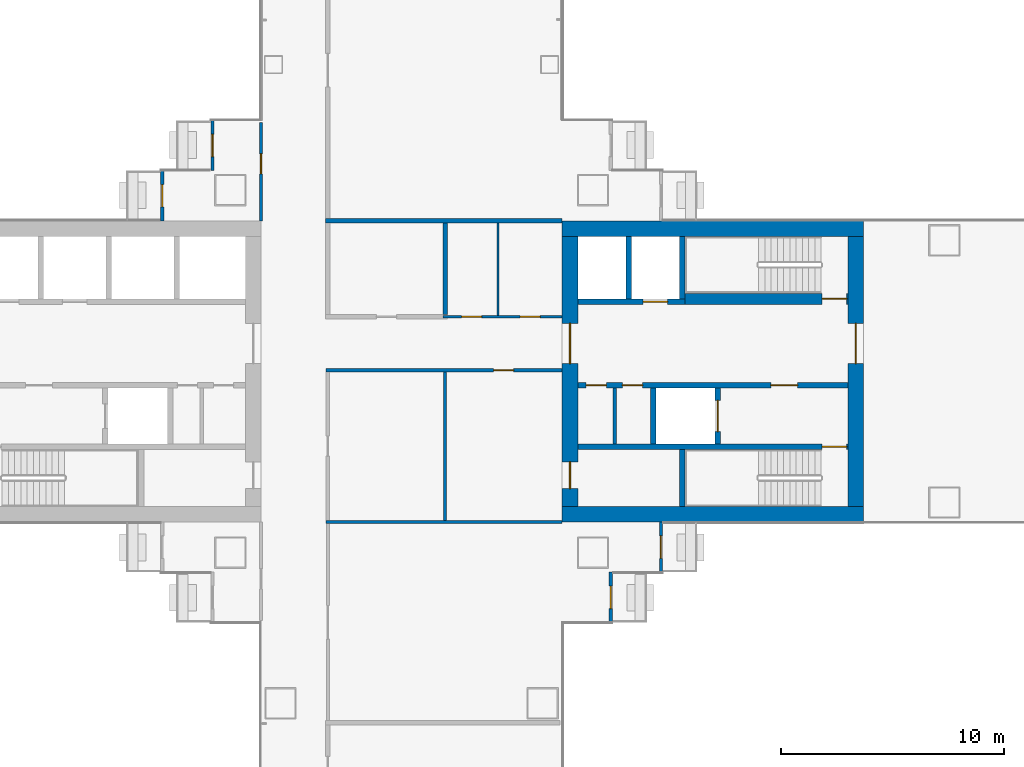
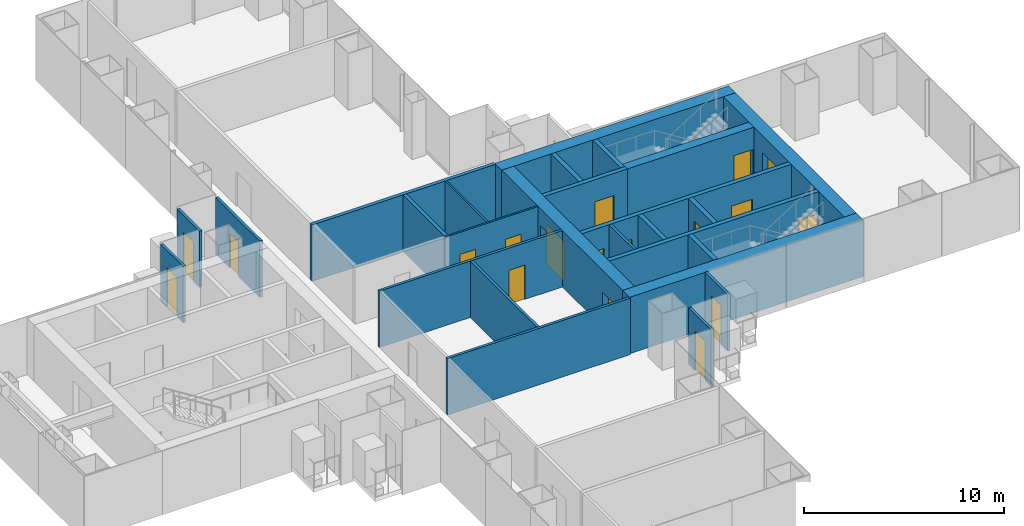
# One storey, part 17 of 22: 26 walls, 18 doors, 18 openings.
"""IFC4 building model written with IfcOpenShell, lengths in metres."""

import ifcopenshell
import ifcopenshell.guid

model = None  # the IFC model being written
_history = None  # IfcOwnerHistory: only IFC2X3 demands one
_inside = {}  # id of a spatial element -> (the spatial element, [elements in it])
_under = {}  # id of a project, library or spatial element -> (it, [spatial elements below it])
_declared = {}  # id of a project -> (the project, [libraries it declares])
_typed = {}  # id of a type object -> (the type object, [elements of that type])
_made_of = {}  # id of a material, layer set ... -> (it, [elements and type objects made of it])


def new_model(schema):
    """Start an empty IFC model of exactly this schema.

    Asked for "IFC4X3", IfcOpenShell would pick the latest addendum, in which some entities
    have other attributes; the version numbers below select the first issue.
    IFC2X3 requires an IfcOwnerHistory on every rooted entity: one is made here for all.
    """
    global model, _history
    if schema == "IFC4X3":
        model = ifcopenshell.file(schema_version=(4, 3, 0, 0))
    else:
        model = ifcopenshell.file(schema=schema)
    _inside.clear()
    _under.clear()
    _declared.clear()
    _typed.clear()
    _made_of.clear()
    _history = None
    if model.schema == "IFC2X3":
        org = make("IfcOrganization", Name="unknown")
        user = make(
            "IfcPersonAndOrganization",
            ThePerson=make("IfcPerson", FamilyName="unknown"),
            TheOrganization=org,
        )
        app = make(
            "IfcApplication",
            ApplicationDeveloper=org,
            Version="unknown",
            ApplicationFullName="unknown",
            ApplicationIdentifier="unknown",
        )
        _history = make(
            "IfcOwnerHistory",
            OwningUser=user,
            OwningApplication=app,
            ChangeAction="ADDED",
            CreationDate=0,
        )
    return model


def make(cls, **values):
    """One entity of the class cls with the attributes given. An attribute that is None is left unset."""
    return model.create_entity(
        cls, **{name: value for name, value in values.items() if value is not None}
    )


def rooted(cls, **values):
    """An entity with a GlobalId (a new one), such as an element, a storey or a relation."""
    return make(cls, GlobalId=ifcopenshell.guid.new(), OwnerHistory=_history, **values)


def si_unit(unit_type, name, prefix=None):
    """IfcSIUnit, for example si_unit("LENGTHUNIT", "METRE", prefix="MILLI")."""
    return make("IfcSIUnit", UnitType=unit_type, Prefix=prefix, Name=name)


def assignment(units):
    """IfcUnitAssignment: the units of a project."""
    return None if units is None else make("IfcUnitAssignment", Units=units)


def point(xyz):
    """IfcCartesianPoint."""
    return None if xyz is None else make("IfcCartesianPoint", Coordinates=xyz)


def direction(xyz):
    """IfcDirection."""
    return None if xyz is None else make("IfcDirection", DirectionRatios=xyz)


def frame(location, z_axis=None, x_axis=None):
    """IfcAxis2Placement3D, a coordinate frame: its origin and axes. An axis left out is left unset."""
    return make(
        "IfcAxis2Placement3D",
        Location=point(location),
        Axis=direction(z_axis),
        RefDirection=direction(x_axis),
    )


def frame_2d(location, x_axis=None):
    """IfcAxis2Placement2D, a coordinate frame in the plane: its origin and x axis."""
    return make(
        "IfcAxis2Placement2D", Location=point(location), RefDirection=direction(x_axis)
    )


def origin():
    """The frame at (0, 0, 0) with its axes left unset."""
    return frame((0.0, 0.0, 0.0))


def place(relative_to, where):
    """IfcLocalPlacement: puts the frame where relative to a parent placement (None: the world)."""
    return make(
        "IfcLocalPlacement", PlacementRelTo=relative_to, RelativePlacement=where
    )


def context(
    kind, dimensions, precision=None, world=None, true_north=None, identifier=None
):
    """IfcGeometricRepresentationContext, for example the 3D "Model" context."""
    return make(
        "IfcGeometricRepresentationContext",
        ContextIdentifier=identifier,
        ContextType=kind,
        CoordinateSpaceDimension=dimensions,
        Precision=precision,
        WorldCoordinateSystem=world,
        TrueNorth=true_north,
    )


def subcontext(parent, identifier, kind, view, scale=None):
    """IfcGeometricRepresentationSubContext, for example "Body" below "Model"."""
    return make(
        "IfcGeometricRepresentationSubContext",
        ContextIdentifier=identifier,
        ContextType=kind,
        ParentContext=parent,
        TargetScale=scale,
        TargetView=view,
    )


def project(units=None, contexts=None):
    """IfcProject with its units and contexts."""
    return rooted(
        "IfcProject",
        Name="project",
        RepresentationContexts=contexts,
        UnitsInContext=assignment(units),
    )


def spatial(cls, under=None, at=None, **own):
    """A site, building, storey or space (cls), placed at a placement, below another one or the project."""
    s = rooted(cls, ObjectPlacement=at, **own)
    if under is not None:
        _under.setdefault(under.id(), (under, []))[1].append(s)
    return s


def profile(cls, at=None, kind="AREA", **sizes):
    """A parametric profile (cls). Its sizes go by their IFC names, for example OverallWidth=200.0."""
    return make(cls, ProfileType=kind, Position=at, **sizes)


def rectangle(**sizes):
    """IfcRectangleProfileDef."""
    return profile("IfcRectangleProfileDef", **sizes)


def extrude(swept, where, along, depth):
    """IfcExtrudedAreaSolid: the profile swept, set in the frame where, extruded along a direction by depth."""
    return make(
        "IfcExtrudedAreaSolid",
        SweptArea=swept,
        Position=where,
        ExtrudedDirection=direction(along),
        Depth=depth,
    )


def shape(context_of_items, identifier, shape_type, items):
    """IfcShapeRepresentation: the items that make up one representation, for example the "Body"."""
    return make(
        "IfcShapeRepresentation",
        ContextOfItems=context_of_items,
        RepresentationIdentifier=identifier,
        RepresentationType=shape_type,
        Items=items,
    )


def material(Name=None, Category=None):
    """IfcMaterial."""
    return make("IfcMaterial", Name=Name, Category=Category)


def layer(
    of_material, thickness, ventilated=None, Name=None, Category=None, Priority=None
):
    """IfcMaterialLayer: one layer of a wall or slab, of a material (None: an air gap)."""
    return make(
        "IfcMaterialLayer",
        Material=of_material,
        LayerThickness=thickness,
        IsVentilated=ventilated,
        Name=Name,
        Category=Category,
        Priority=Priority,
    )


def layer_set(layers, Name=None):
    """IfcMaterialLayerSet."""
    return make("IfcMaterialLayerSet", MaterialLayers=layers, LayerSetName=Name)


def made_of(thing, what):
    """Note that an element or type object is made of a material, layer set ...; save() writes the relation."""
    if what is not None:
        _made_of.setdefault(what.id(), (what, []))[1].append(thing)
    return thing


def type_object(cls, material=None, **own):
    """A type object (cls), such as IfcWallType, which elements share."""
    return made_of(rooted(cls, **own), material)


def element(
    cls,
    number,
    at=None,
    inside=None,
    cuts=None,
    type_object=None,
    material=None,
    context=None,
    identifier="Body",
    shape_type=None,
    held_by="IfcProductDefinitionShape",
    body=None,
    shapes=None,
    **own,
):
    """One element of the class cls, such as IfcWall. Its Tag is "e" and its number.

    at: its placement. inside: the storey or other place that contains it. cuts: it is an
    opening in that element (IfcRelVoidsElement). A single representation is given by context,
    identifier, shape_type and body (its items); several are given by shapes. held_by: the class
    of the entity that holds the representations. save() writes the other relations.
    """
    e = rooted(cls, Tag="e%d" % number, ObjectPlacement=at, **own)
    if body is not None:
        shapes = [shape(context, identifier, shape_type, body)]
    if shapes is not None:
        e.Representation = make(held_by, Representations=shapes)
    if inside is not None:
        _inside.setdefault(inside.id(), (inside, []))[1].append(e)
    if cuts is not None:
        rooted(
            "IfcRelVoidsElement", RelatingBuildingElement=cuts, RelatedOpeningElement=e
        )
    if type_object is not None:
        _typed.setdefault(type_object.id(), (type_object, []))[1].append(e)
    return made_of(e, material)


def fill(opening, filler):
    """IfcRelFillsElement: the door or window that sits in an opening."""
    return rooted(
        "IfcRelFillsElement",
        RelatingOpeningElement=opening,
        RelatedBuildingElement=filler,
    )


def aggregate(whole, parts):
    """IfcRelAggregates: a whole, such as a stair, and the parts it consists of."""
    return rooted("IfcRelAggregates", RelatingObject=whole, RelatedObjects=parts)


def save(model, path):
    """Write the relations noted so far, then the file.

    IfcRelAggregates (storeys below a building ...), IfcRelContainedInSpatialStructure (elements
    in a storey), IfcRelDefinesByType, IfcRelAssociatesMaterial and IfcRelDeclares: one each for
    every whole, place, type object, material and project.
    """
    for whole, parts in _under.values():
        aggregate(whole, parts)
    for where, things in _inside.values():
        rooted(
            "IfcRelContainedInSpatialStructure",
            RelatedElements=things,
            RelatingStructure=where,
        )
    for kind, things in _typed.values():
        rooted("IfcRelDefinesByType", RelatedObjects=things, RelatingType=kind)
    for what, things in _made_of.values():
        rooted("IfcRelAssociatesMaterial", RelatedObjects=things, RelatingMaterial=what)
    for by, libraries in _declared.values():
        rooted("IfcRelDeclares", RelatingContext=by, RelatedDefinitions=libraries)
    model.write(path)


model = new_model("IFC4")

# Units and contexts
model_context = context("Model", 3, precision=1e-05, world=origin(), true_north=direction((0.0, 1.0)))
body_context = subcontext(model_context, "Body", "Model", "MODEL_VIEW")
ifc_project = project(units=[si_unit("LENGTHUNIT", "METRE"), si_unit("AREAUNIT", "SQUARE_METRE"), si_unit("VOLUMEUNIT", "CUBIC_METRE"), si_unit("PLANEANGLEUNIT", "RADIAN"), si_unit("MASSUNIT", "GRAM", prefix="KILO")], contexts=[model_context])

# Site, building, storey
site_placement = place(None, origin())
site = spatial("IfcSite", under=ifc_project, at=site_placement, CompositionType="ELEMENT")
building_placement = place(site_placement, origin())
building = spatial("IfcBuilding", under=site, at=building_placement, Name="Shamsa Quay Exchange Towers", CompositionType="ELEMENT")
storey_placement = place(building_placement, frame((0.0, 0.0, 73.199951171875)))
storey = spatial("IfcBuildingStorey", under=building, at=storey_placement, Name="L16", CompositionType="ELEMENT", Elevation=73.199951171875)

# Wall, opening, door
ifc_material_1 = material(Name="Aluminium EN AW-6063 T6, black anodised, with black enamelled glass infill", Category="aluminium")
ifc_layer_1 = layer(ifc_material_1, 0.14990234375)
ifc_layer_set_1 = layer_set([ifc_layer_1], Name="BALCONY DOOR BAY WALL 150")
wall_type_1 = type_object("IfcWallType", Name="BALCONY DOOR BAY WALL 150", PredefinedType="SOLIDWALL", material=ifc_layer_set_1)
wall_1_placement = place(storey_placement, frame((24.824951171875, 9.0, 0.0), z_axis=(0.0, 0.0, 1.0), x_axis=(0.0, 1.0, 0.0)))
wall_1 = element("IfcWall", 1, at=wall_1_placement, inside=storey, type_object=wall_type_1, Name="Door bay T2-PKEN L16", PredefinedType="SOLIDWALL", context=body_context, shape_type="SweptSolid", body=[
    extrude(rectangle(XDim=2.25, YDim=0.14990234375, at=frame_2d((1.125, 0.0))), origin(), (0.0, 0.0, 1.0), 3.449951171875),
])
opening_1_placement = place(wall_1_placement, frame((0.625, 0.0, 0.0)))
opening_1 = element("IfcOpeningElement", 2, at=opening_1_placement, cuts=wall_1, Name="Opening XD097", PredefinedType="OPENING", context=body_context, shape_type="SweptSolid", body=[
    extrude(rectangle(XDim=1.0, YDim=2.39990234375, at=frame_2d((0.5, 1.199951171875))), frame((0.0, 0.0849609375, 0.0), z_axis=(0.0, -1.0, 0.0), x_axis=(1.0, 0.0, 0.0)), (0.0, 0.0, 1.0), 0.169921875),
])
ifc_material_2 = material(Name="Aluminium EN AW-6063 T6, black anodised, with laminated glass leaf", Category="aluminium")
door_type_1 = type_object("IfcDoorType", Name="BALCONY DOOR 1000x2400", OperationType="SINGLE_SWING_LEFT", PredefinedType="DOOR", material=ifc_material_2)
door_1_placement = place(opening_1_placement, origin())
door_1 = element("IfcDoor", 3, at=door_1_placement, inside=storey, type_object=door_type_1, Name="Balcony door T2-PKEN L16", OperationType="SINGLE_SWING_RIGHT", OverallHeight=2.39990234375, OverallWidth=1.0, PredefinedType="DOOR", context=body_context, shape_type="SweptSolid", body=[
    extrude(rectangle(XDim=1.0, YDim=2.39990234375, at=frame_2d((0.5, 1.199951171875))), frame((0.0, 0.02490234375, 0.0), z_axis=(0.0, -1.0, 0.0), x_axis=(1.0, 0.0, 0.0)), (0.0, 0.0, 1.0), 0.050048828125),
])
fill(opening_1, door_1)

wall_2_placement = place(storey_placement, frame((22.574951171875, 6.742919921875, 0.0), z_axis=(0.0, 0.0, 1.0), x_axis=(0.0, 1.0, 0.0)))
wall_2 = element("IfcWall", 4, at=wall_2_placement, inside=storey, type_object=wall_type_1, Name="Door bay T2-PKEN L16", PredefinedType="SOLIDWALL", context=body_context, shape_type="SweptSolid", body=[
    extrude(rectangle(XDim=2.257080078125, YDim=0.14990234375, at=frame_2d((1.12841796875, 0.0))), origin(), (0.0, 0.0, 1.0), 3.449951171875),
])
opening_2_placement = place(wall_2_placement, frame((0.632080078125, 0.0, 0.0)))
opening_2 = element("IfcOpeningElement", 5, at=opening_2_placement, cuts=wall_2, Name="Opening XD098", PredefinedType="OPENING", context=body_context, shape_type="SweptSolid", body=[
    extrude(rectangle(XDim=1.0, YDim=2.39990234375, at=frame_2d((0.5, 1.199951171875))), frame((0.0, 0.0849609375, 0.0), z_axis=(0.0, -1.0, 0.0), x_axis=(1.0, 0.0, 0.0)), (0.0, 0.0, 1.0), 0.169921875),
])
door_2_placement = place(opening_2_placement, origin())
door_2 = element("IfcDoor", 6, at=door_2_placement, inside=storey, type_object=door_type_1, Name="Balcony door T2-PKEN L16", OperationType="SINGLE_SWING_LEFT", OverallHeight=2.39990234375, OverallWidth=1.0, PredefinedType="DOOR", context=body_context, shape_type="SweptSolid", body=[
    extrude(rectangle(XDim=1.0, YDim=2.39990234375, at=frame_2d((0.5, 1.199951171875))), frame((0.0, 0.02490234375, 0.0), z_axis=(0.0, -1.0, 0.0), x_axis=(1.0, 0.0, 0.0)), (0.0, 0.0, 1.0), 0.050048828125),
])
fill(opening_2, door_2)

wall_3_placement = place(storey_placement, frame((42.675048828125, -9.0, 0.0), z_axis=(0.0, 0.0, 1.0), x_axis=(0.0, -1.0, 0.0)))
wall_3 = element("IfcWall", 7, at=wall_3_placement, inside=storey, type_object=wall_type_1, Name="Door bay T2-PKWS L16", PredefinedType="SOLIDWALL", context=body_context, shape_type="SweptSolid", body=[
    extrude(rectangle(XDim=2.25, YDim=0.14990234375, at=frame_2d((1.125, 0.0))), origin(), (0.0, 0.0, 1.0), 3.449951171875),
])
opening_3_placement = place(wall_3_placement, frame((0.625, 0.0, 0.0)))
opening_3 = element("IfcOpeningElement", 8, at=opening_3_placement, cuts=wall_3, Name="Opening XD103", PredefinedType="OPENING", context=body_context, shape_type="SweptSolid", body=[
    extrude(rectangle(XDim=1.0, YDim=2.39990234375, at=frame_2d((0.5, 1.199951171875))), frame((0.0, 0.0849609375, 0.0), z_axis=(0.0, -1.0, 0.0), x_axis=(1.0, 0.0, 0.0)), (0.0, 0.0, 1.0), 0.169921875),
])
door_3_placement = place(opening_3_placement, origin())
door_3 = element("IfcDoor", 9, at=door_3_placement, inside=storey, type_object=door_type_1, Name="Balcony door T2-PKWS L16", OperationType="SINGLE_SWING_LEFT", OverallHeight=2.39990234375, OverallWidth=1.0, PredefinedType="DOOR", context=body_context, shape_type="SweptSolid", body=[
    extrude(rectangle(XDim=1.0, YDim=2.39990234375, at=frame_2d((0.5, 1.199951171875))), frame((0.0, 0.02490234375, 0.0), z_axis=(0.0, -1.0, 0.0), x_axis=(1.0, 0.0, 0.0)), (0.0, 0.0, 1.0), 0.050048828125),
])
fill(opening_3, door_3)

wall_4_placement = place(storey_placement, frame((44.925048828125, -6.742919921875, 0.0), z_axis=(0.0, 0.0, 1.0), x_axis=(0.0, -1.0, 0.0)))
wall_4 = element("IfcWall", 10, at=wall_4_placement, inside=storey, type_object=wall_type_1, Name="Door bay T2-PKWS L16", PredefinedType="SOLIDWALL", context=body_context, shape_type="SweptSolid", body=[
    extrude(rectangle(XDim=2.257080078125, YDim=0.14990234375, at=frame_2d((1.12841796875, 0.0))), origin(), (0.0, 0.0, 1.0), 3.449951171875),
])
opening_4_placement = place(wall_4_placement, frame((0.632080078125, 0.0, 0.0)))
opening_4 = element("IfcOpeningElement", 11, at=opening_4_placement, cuts=wall_4, Name="Opening XD104", PredefinedType="OPENING", context=body_context, shape_type="SweptSolid", body=[
    extrude(rectangle(XDim=1.0, YDim=2.39990234375, at=frame_2d((0.5, 1.199951171875))), frame((0.0, 0.0849609375, 0.0), z_axis=(0.0, -1.0, 0.0), x_axis=(1.0, 0.0, 0.0)), (0.0, 0.0, 1.0), 0.169921875),
])
door_4_placement = place(opening_4_placement, origin())
door_4 = element("IfcDoor", 12, at=door_4_placement, inside=storey, type_object=door_type_1, Name="Balcony door T2-PKWS L16", OperationType="SINGLE_SWING_RIGHT", OverallHeight=2.39990234375, OverallWidth=1.0, PredefinedType="DOOR", context=body_context, shape_type="SweptSolid", body=[
    extrude(rectangle(XDim=1.0, YDim=2.39990234375, at=frame_2d((0.5, 1.199951171875))), frame((0.0, 0.02490234375, 0.0), z_axis=(0.0, -1.0, 0.0), x_axis=(1.0, 0.0, 0.0)), (0.0, 0.0, 1.0), 0.050048828125),
])
fill(opening_4, door_4)

# Walls
ifc_material_3 = material(Name="Concrete C80/95", Category="concrete")
ifc_layer_2 = layer(ifc_material_3, 0.699951171875)
ifc_layer_set_2 = layer_set([ifc_layer_2], Name="CORE WALL 700 C80/95")
wall_type_2 = type_object("IfcWallType", Name="CORE WALL 700 C80/95", PredefinedType="SHEAR", material=ifc_layer_set_2)
for number, where, z_axis, x_axis, name in (
    (13, (54.0, -6.39990234375, 0.0), (0.0, 0.0, 1.0), (-1.0, 0.0, 0.0), "Core wall T2B-R07-PS"),
    (14, (54.0, 6.39990234375, 0.0), (0.0, 0.0, 1.0), (-1.0, 0.0, 0.0), "Core wall T2B-R07-PN"),
):
    element("IfcWall", number, at=place(storey_placement, frame(where, z_axis=z_axis, x_axis=x_axis)), inside=storey, type_object=wall_type_2, Name=name, PredefinedType="SHEAR", context=body_context, shape_type="SweptSolid", body=[
        extrude(rectangle(XDim=13.5, YDim=0.699951171875, at=frame_2d((6.75, 0.0))), origin(), (0.0, 0.0, 1.0), 3.449951171875),
    ])

# Wall, opening, door
wall_5_placement = place(storey_placement, frame((53.64990234375, -6.050048828125, 0.0), z_axis=(0.0, 0.0, 1.0), x_axis=(0.0, 1.0, 0.0)))
wall_5 = element("IfcWall", 15, at=wall_5_placement, inside=storey, type_object=wall_type_2, Name="Core wall T2B-R07-PF", PredefinedType="SHEAR", context=body_context, shape_type="SweptSolid", body=[
    extrude(rectangle(XDim=12.10009765625, YDim=0.699951171875, at=frame_2d((6.050048828125, 0.0))), origin(), (0.0, 0.0, 1.0), 3.449951171875),
])
opening_5_placement = place(wall_5_placement, frame((6.39990234375, 0.0, 0.0)))
opening_5 = element("IfcOpeningElement", 16, at=opening_5_placement, cuts=wall_5, Name="Opening T2B-R07-LBD01", PredefinedType="OPENING", context=body_context, shape_type="SweptSolid", body=[
    extrude(rectangle(XDim=1.800048828125, YDim=2.39990234375, at=frame_2d((0.89990234375, 1.199951171875))), frame((0.0, 0.35986328125, 0.0), z_axis=(0.0, -1.0, 0.0), x_axis=(1.0, 0.0, 0.0)), (0.0, 0.0, 1.0), 0.719970703125),
])
ifc_material_4 = material(Name="Steel, fire rated", Category="steel")
door_type_2 = type_object("IfcDoorType", Name="LIFT LOBBY DOOR PAIR 1800", OperationType="DOUBLE_DOOR_SINGLE_SWING", PredefinedType="DOOR", material=ifc_material_4)
door_5_placement = place(opening_5_placement, origin())
door_5 = element("IfcDoor", 17, at=door_5_placement, inside=storey, type_object=door_type_2, Name="T2B-R07-LBD01", OperationType="DOUBLE_DOOR_SINGLE_SWING", OverallHeight=2.39990234375, OverallWidth=1.800048828125, PredefinedType="DOOR", context=body_context, shape_type="SweptSolid", body=[
    extrude(rectangle(XDim=1.800048828125, YDim=2.39990234375, at=frame_2d((0.89990234375, 1.199951171875))), frame((0.0, 0.02490234375, 0.0), z_axis=(0.0, -1.0, 0.0), x_axis=(1.0, 0.0, 0.0)), (0.0, 0.0, 1.0), 0.050048828125),
])
fill(opening_5, door_5)

# Wall, openings, doors
wall_6_placement = place(storey_placement, frame((40.85009765625, -6.050048828125, 0.0), z_axis=(0.0, 0.0, 1.0), x_axis=(0.0, 1.0, 0.0)))
wall_6 = element("IfcWall", 18, at=wall_6_placement, inside=storey, type_object=wall_type_2, Name="Core wall T2B-R07-PB", PredefinedType="SHEAR", context=body_context, shape_type="SweptSolid", body=[
    extrude(rectangle(XDim=12.10009765625, YDim=0.699951171875, at=frame_2d((6.050048828125, 0.0))), origin(), (0.0, 0.0, 1.0), 3.449951171875),
])
opening_6_placement = place(wall_6_placement, frame((0.800048828125, 0.0, 0.0)))
opening_6 = element("IfcOpeningElement", 19, at=opening_6_placement, cuts=wall_6, Name="Opening T2B-R07-RD02", PredefinedType="OPENING", context=body_context, shape_type="SweptSolid", body=[
    extrude(rectangle(XDim=1.199951171875, YDim=2.10009765625, at=frame_2d((0.60009765625, 1.050048828125))), frame((0.0, 0.35986328125, 0.0), z_axis=(0.0, -1.0, 0.0), x_axis=(1.0, 0.0, 0.0)), (0.0, 0.0, 1.0), 0.719970703125),
])
opening_7_placement = place(wall_6_placement, frame((6.39990234375, 0.0, 0.0)))
opening_7 = element("IfcOpeningElement", 20, at=opening_7_placement, cuts=wall_6, Name="Opening T2B-R07-LBD03", PredefinedType="OPENING", context=body_context, shape_type="SweptSolid", body=[
    extrude(rectangle(XDim=1.800048828125, YDim=2.39990234375, at=frame_2d((0.89990234375, 1.199951171875))), frame((0.0, 0.35986328125, 0.0), z_axis=(0.0, -1.0, 0.0), x_axis=(1.0, 0.0, 0.0)), (0.0, 0.0, 1.0), 0.719970703125),
])
door_6_placement = place(opening_7_placement, origin())
door_6 = element("IfcDoor", 21, at=door_6_placement, inside=storey, type_object=door_type_2, Name="T2B-R07-LBD03", OperationType="DOUBLE_DOOR_SINGLE_SWING", OverallHeight=2.39990234375, OverallWidth=1.800048828125, PredefinedType="DOOR", context=body_context, shape_type="SweptSolid", body=[
    extrude(rectangle(XDim=1.800048828125, YDim=2.39990234375, at=frame_2d((0.89990234375, 1.199951171875))), frame((0.0, 0.02490234375, 0.0), z_axis=(0.0, -1.0, 0.0), x_axis=(1.0, 0.0, 0.0)), (0.0, 0.0, 1.0), 0.050048828125),
])
fill(opening_7, door_6)
door_type_3 = type_object("IfcDoorType", Name="RISER ACCESS DOOR 1200", OperationType="SINGLE_SWING_LEFT", PredefinedType="DOOR", material=ifc_material_4)
door_7_placement = place(opening_6_placement, origin())
door_7 = element("IfcDoor", 22, at=door_7_placement, inside=storey, type_object=door_type_3, Name="T2B-R07-RD02", OperationType="SINGLE_SWING_LEFT", OverallHeight=2.10009765625, OverallWidth=1.199951171875, PredefinedType="DOOR", context=body_context, shape_type="SweptSolid", body=[
    extrude(rectangle(XDim=1.199951171875, YDim=2.10009765625, at=frame_2d((0.60009765625, 1.050048828125))), frame((0.0, 0.02490234375, 0.0), z_axis=(0.0, -1.0, 0.0), x_axis=(1.0, 0.0, 0.0)), (0.0, 0.0, 1.0), 0.050048828125),
])
fill(opening_6, door_7)

# Wall
ifc_material_5 = material(Name="Gypsum board on steel studs, EI 60", Category="steel")
ifc_layer_3 = layer(ifc_material_5, 0.14990234375)
ifc_layer_set_3 = layer_set([ifc_layer_3], Name="FIRE PARTITION 150")
wall_type_3 = type_object("IfcWallType", Name="FIRE PARTITION 150", PredefinedType="PARTITIONING", material=ifc_layer_set_3)
wall_7_placement = place(storey_placement, frame((42.85009765625, -3.25, 0.0), z_axis=(0.0, 0.0, 1.0), x_axis=(0.0, 1.0, 0.0)))
element("IfcWall", 23, at=wall_7_placement, inside=storey, type_object=wall_type_3, Name="Partition T2B-R07-EC0", PredefinedType="PARTITIONING", context=body_context, shape_type="SweptSolid", body=[
    extrude(rectangle(XDim=2.5, YDim=0.14990234375, at=frame_2d((1.25, 0.0))), origin(), (0.0, 0.0, 1.0), 3.449951171875),
])

# Wall, openings, doors
ifc_material_6 = material(Name="Gypsum board partition on metal studs")
ifc_layer_4 = layer(ifc_material_6, 0.10009765625)
ifc_layer_set_4 = layer_set([ifc_layer_4], Name="Partition 100 mm NOT RATED")
wall_type_4 = type_object("IfcWallType", Name="Partition 100 mm NOT RATED", PredefinedType="PARTITIONING", material=ifc_layer_set_4)
wall_8_placement = place(storey_placement, frame((35.14990234375, 2.4501953125, 0.0)))
wall_8 = element("IfcWall", 24, at=wall_8_placement, inside=storey, type_object=wall_type_4, Name="Partition T2-R07-W06", PredefinedType="PARTITIONING", context=body_context, shape_type="SweptSolid", body=[
    extrude(rectangle(XDim=5.35009765625, YDim=0.10009765625, at=frame_2d((2.675048828125, 0.0))), origin(), (0.0, 0.0, 1.0), 3.449951171875),
])
opening_8_placement = place(wall_8_placement, frame((3.46240234375, 0.0, 0.0)))
opening_8 = element("IfcOpeningElement", 25, at=opening_8_placement, cuts=wall_8, Name="Opening T2-R07-D01", PredefinedType="OPENING", context=body_context, shape_type="SweptSolid", body=[
    extrude(rectangle(XDim=0.89990234375, YDim=2.10009765625, at=frame_2d((0.449951171875, 1.050048828125))), frame((0.0, 0.06005859375, 0.0), z_axis=(0.0, -1.0, 0.0), x_axis=(1.0, 0.0, 0.0)), (0.0, 0.0, 1.0), 0.1201171875),
])
opening_9_placement = place(wall_8_placement, frame((0.83740234375, 0.0, 0.0)))
opening_9 = element("IfcOpeningElement", 26, at=opening_9_placement, cuts=wall_8, Name="Opening T2-R07-D02", PredefinedType="OPENING", context=body_context, shape_type="SweptSolid", body=[
    extrude(rectangle(XDim=0.89990234375, YDim=2.10009765625, at=frame_2d((0.449951171875, 1.050048828125))), frame((0.0, 0.06005859375, 0.0), z_axis=(0.0, -1.0, 0.0), x_axis=(1.0, 0.0, 0.0)), (0.0, 0.0, 1.0), 0.1201171875),
])
ifc_material_7 = material(Name="Timber door leaf in a metal frame", Category="wood")
door_type_4 = type_object("IfcDoorType", Name="Door 900x2100 NOT RATED", OperationType="NOTDEFINED", PredefinedType="DOOR", material=ifc_material_7)
door_8_placement = place(opening_8_placement, origin())
door_8 = element("IfcDoor", 27, at=door_8_placement, inside=storey, type_object=door_type_4, Name="Door T2-R07-D01", OperationType="SINGLE_SWING_RIGHT", OverallHeight=2.10009765625, OverallWidth=0.89990234375, PredefinedType="DOOR", context=body_context, shape_type="SweptSolid", body=[
    extrude(rectangle(XDim=0.89990234375, YDim=2.10009765625, at=frame_2d((0.449951171875, 1.050048828125))), frame((0.0, 0.02490234375, 0.0), z_axis=(0.0, -1.0, 0.0), x_axis=(1.0, 0.0, 0.0)), (0.0, 0.0, 1.0), 0.050048828125),
])
fill(opening_8, door_8)
door_9_placement = place(opening_9_placement, origin())
door_9 = element("IfcDoor", 28, at=door_9_placement, inside=storey, type_object=door_type_4, Name="Door T2-R07-D02", OperationType="SINGLE_SWING_LEFT", OverallHeight=2.10009765625, OverallWidth=0.89990234375, PredefinedType="DOOR", context=body_context, shape_type="SweptSolid", body=[
    extrude(rectangle(XDim=0.89990234375, YDim=2.10009765625, at=frame_2d((0.449951171875, 1.050048828125))), frame((0.0, 0.02490234375, 0.0), z_axis=(0.0, -1.0, 0.0), x_axis=(1.0, 0.0, 0.0)), (0.0, 0.0, 1.0), 0.050048828125),
])
fill(opening_9, door_9)

# Wall
wall_9_placement = place(storey_placement, frame((37.625, 6.64990234375, 0.0), z_axis=(0.0, 0.0, 1.0), x_axis=(0.0, -1.0, 0.0)))
element("IfcWall", 29, at=wall_9_placement, inside=storey, type_object=wall_type_4, Name="Partition T2-R07-W15", PredefinedType="PARTITIONING", context=body_context, shape_type="SweptSolid", body=[
    extrude(rectangle(XDim=4.149658203125, YDim=0.10009765625, at=frame_2d((2.07470703125, 0.0))), origin(), (0.0, 0.0, 1.0), 3.449951171875),
])

# Wall, opening, door
ifc_layer_5 = layer(ifc_material_6, 0.14990234375)
ifc_layer_set_5 = layer_set([ifc_layer_5], Name="Partition 150 mm EI 60")
wall_type_5 = type_object("IfcWallType", Name="Partition 150 mm EI 60", PredefinedType="PARTITIONING", material=ifc_layer_set_5)
wall_10_placement = place(storey_placement, frame((40.5, 0.0498046875, 0.0), z_axis=(0.0, 0.0, 1.0), x_axis=(-1.0, 0.0, 0.0)))
wall_10 = element("IfcWall", 30, at=wall_10_placement, inside=storey, type_object=wall_type_5, Name="Partition T2-R07-W10", PredefinedType="PARTITIONING", context=body_context, shape_type="SweptSolid", body=[
    extrude(rectangle(XDim=10.574951171875, YDim=0.14990234375, at=frame_2d((5.28759765625, 0.0))), origin(), (0.0, 0.0, 1.0), 3.449951171875),
])
opening_10_placement = place(wall_10_placement, frame((2.175048828125, 0.0, 0.0)))
opening_10 = element("IfcOpeningElement", 31, at=opening_10_placement, cuts=wall_10, Name="Opening T2-R07-D08", PredefinedType="OPENING", context=body_context, shape_type="SweptSolid", body=[
    extrude(rectangle(XDim=0.89990234375, YDim=2.10009765625, at=frame_2d((0.449951171875, 1.050048828125))), frame((0.0, 0.0849609375, 0.0), z_axis=(0.0, -1.0, 0.0), x_axis=(1.0, 0.0, 0.0)), (0.0, 0.0, 1.0), 0.169921875),
])
door_type_5 = type_object("IfcDoorType", Name="Door 900x2100 FD30S", OperationType="NOTDEFINED", PredefinedType="DOOR", material=ifc_material_7)
door_10_placement = place(opening_10_placement, origin())
door_10 = element("IfcDoor", 32, at=door_10_placement, inside=storey, type_object=door_type_5, Name="Door T2-R07-D08", OperationType="SINGLE_SWING_RIGHT", OverallHeight=2.10009765625, OverallWidth=0.89990234375, PredefinedType="DOOR", context=body_context, shape_type="SweptSolid", body=[
    extrude(rectangle(XDim=0.89990234375, YDim=2.10009765625, at=frame_2d((0.449951171875, 1.050048828125))), frame((0.0, 0.02490234375, 0.0), z_axis=(0.0, -1.0, 0.0), x_axis=(1.0, 0.0, 0.0)), (0.0, 0.0, 1.0), 0.050048828125),
])
fill(opening_10, door_10)

wall_11_placement = place(storey_placement, frame((27.0, 6.75, 0.0), z_axis=(0.0, 0.0, 1.0), x_axis=(0.0, 1.0, 0.0)))
wall_11 = element("IfcWall", 33, at=wall_11_placement, inside=storey, type_object=wall_type_5, Name="Partition T2-R07-W11", PredefinedType="PARTITIONING", context=body_context, shape_type="SweptSolid", body=[
    extrude(rectangle(XDim=4.405029296875, YDim=0.14990234375, at=frame_2d((2.20263671875, 0.0))), origin(), (0.0, 0.0, 1.0), 3.449951171875),
])
opening_11_placement = place(wall_11_placement, frame((2.10009765625, 0.0, 0.0)))
opening_11 = element("IfcOpeningElement", 34, at=opening_11_placement, cuts=wall_11, Name="Opening T2-R07-D12", PredefinedType="OPENING", context=body_context, shape_type="SweptSolid", body=[
    extrude(rectangle(XDim=0.89990234375, YDim=2.10009765625, at=frame_2d((0.449951171875, 1.050048828125))), frame((0.0, 0.0849609375, 0.0), z_axis=(0.0, -1.0, 0.0), x_axis=(1.0, 0.0, 0.0)), (0.0, 0.0, 1.0), 0.169921875),
])
door_11_placement = place(opening_11_placement, origin())
door_11 = element("IfcDoor", 35, at=door_11_placement, inside=storey, type_object=door_type_5, Name="Door T2-R07-D12", OperationType="SINGLE_SWING_RIGHT", OverallHeight=2.10009765625, OverallWidth=0.89990234375, PredefinedType="DOOR", context=body_context, shape_type="SweptSolid", body=[
    extrude(rectangle(XDim=0.89990234375, YDim=2.10009765625, at=frame_2d((0.449951171875, 1.050048828125))), frame((0.0, 0.02490234375, 0.0), z_axis=(0.0, -1.0, 0.0), x_axis=(1.0, 0.0, 0.0)), (0.0, 0.0, 1.0), 0.050048828125),
])
fill(opening_11, door_11)

# Walls
wall_12_placement = place(storey_placement, frame((40.5, -6.75, 0.0), z_axis=(0.0, 0.0, 1.0), x_axis=(-1.0, 0.0, 0.0)))
element("IfcWall", 36, at=wall_12_placement, inside=storey, type_object=wall_type_5, Name="Partition T2-R07-W18", PredefinedType="PARTITIONING", context=body_context, shape_type="SweptSolid", body=[
    extrude(rectangle(XDim=10.574951171875, YDim=0.14990234375, at=frame_2d((5.28759765625, 0.0))), origin(), (0.0, 0.0, 1.0), 3.449951171875),
])
wall_13_placement = place(storey_placement, frame((35.25, -0.025146484375, 0.0), z_axis=(0.0, 0.0, 1.0), x_axis=(0.0, -1.0, 0.0)))
element("IfcWall", 37, at=wall_13_placement, inside=storey, type_object=wall_type_5, Name="Partition T2-R07-W20", PredefinedType="PARTITIONING", context=body_context, shape_type="SweptSolid", body=[
    extrude(rectangle(XDim=6.64990234375, YDim=0.14990234375, at=frame_2d((3.324951171875, 0.0))), origin(), (0.0, 0.0, 1.0), 3.449951171875),
])
ifc_layer_6 = layer(ifc_material_6, 0.199951171875)
ifc_layer_set_6 = layer_set([ifc_layer_6], Name="Partition 200 mm EI 120")
wall_type_6 = type_object("IfcWallType", Name="Partition 200 mm EI 120", PredefinedType="PARTITIONING", material=ifc_layer_set_6)
wall_14_placement = place(storey_placement, frame((35.25, 6.64990234375, 0.0), z_axis=(0.0, 0.0, 1.0), x_axis=(0.0, -1.0, 0.0)))
element("IfcWall", 38, at=wall_14_placement, inside=storey, type_object=wall_type_6, Name="Partition T2-R07-W16", PredefinedType="PARTITIONING", context=body_context, shape_type="SweptSolid", body=[
    extrude(rectangle(XDim=4.099609375, YDim=0.199951171875, at=frame_2d((2.0498046875, 0.0))), origin(), (0.0, 0.0, 1.0), 3.449951171875),
])
ifc_layer_7 = layer(ifc_material_6, 0.199951171875)
ifc_layer_set_7 = layer_set([ifc_layer_7], Name="Partition 200 mm EI 90")
wall_type_7 = type_object("IfcWallType", Name="Partition 200 mm EI 90", PredefinedType="PARTITIONING", material=ifc_layer_set_7)
wall_15_placement = place(storey_placement, frame((29.89990234375, 6.75, 0.0)))
element("IfcWall", 39, at=wall_15_placement, inside=storey, type_object=wall_type_7, Name="Partition T2-R07-W14", PredefinedType="PARTITIONING", context=body_context, shape_type="SweptSolid", body=[
    extrude(rectangle(XDim=10.60009765625, YDim=0.199951171875, at=frame_2d((5.300048828125, 0.0))), origin(), (0.0, 0.0, 1.0), 3.449951171875),
])

# Wall, opening, door
ifc_material_8 = material(Name="Concrete C50/60", Category="concrete")
ifc_layer_8 = layer(ifc_material_8, 0.25)
ifc_layer_set_8 = layer_set([ifc_layer_8], Name="SHAFT WALL 250 C50/60")
wall_type_8 = type_object("IfcWallType", Name="SHAFT WALL 250 C50/60", PredefinedType="SHEAR", material=ifc_layer_set_8)
wall_16_placement = place(storey_placement, frame((53.300048828125, -3.375, 0.0), z_axis=(0.0, 0.0, 1.0), x_axis=(-1.0, 0.0, 0.0)))
wall_16 = element("IfcWall", 40, at=wall_16_placement, inside=storey, type_object=wall_type_8, Name="Shaft wall T2B-R07-STL", PredefinedType="SHEAR", context=body_context, shape_type="SweptSolid", body=[
    extrude(rectangle(XDim=12.10009765625, YDim=0.25, at=frame_2d((6.050048828125, 0.0))), origin(), (0.0, 0.0, 1.0), 3.449951171875),
])
opening_12_placement = place(wall_16_placement, frame((0.050048828125, 0.0, 0.0)))
opening_12 = element("IfcOpeningElement", 41, at=opening_12_placement, cuts=wall_16, Name="Opening T2B-R07-SD04", PredefinedType="OPENING", context=body_context, shape_type="SweptSolid", body=[
    extrude(rectangle(XDim=1.10009765625, YDim=2.10009765625, at=frame_2d((0.550048828125, 1.050048828125))), frame((0.0, 0.135009765625, 0.0), z_axis=(0.0, -1.0, 0.0), x_axis=(1.0, 0.0, 0.0)), (0.0, 0.0, 1.0), 0.27001953125),
])
door_type_6 = type_object("IfcDoorType", Name="STAIR DOOR 1100", OperationType="SINGLE_SWING_LEFT", PredefinedType="DOOR", material=ifc_material_4)
door_12_placement = place(opening_12_placement, origin())
door_12 = element("IfcDoor", 42, at=door_12_placement, inside=storey, type_object=door_type_6, Name="T2B-R07-SD04", OperationType="SINGLE_SWING_LEFT", OverallHeight=2.10009765625, OverallWidth=1.10009765625, PredefinedType="DOOR", context=body_context, shape_type="SweptSolid", body=[
    extrude(rectangle(XDim=1.10009765625, YDim=2.10009765625, at=frame_2d((0.550048828125, 1.050048828125))), frame((0.0, 0.02490234375, 0.0), z_axis=(0.0, -1.0, 0.0), x_axis=(1.0, 0.0, 0.0)), (0.0, 0.0, 1.0), 0.050048828125),
])
fill(opening_12, door_12)

# Wall
wall_17_placement = place(storey_placement, frame((45.875, -6.050048828125, 0.0), z_axis=(0.0, 0.0, 1.0), x_axis=(0.0, 1.0, 0.0)))
element("IfcWall", 43, at=wall_17_placement, inside=storey, type_object=wall_type_8, Name="Shaft wall T2B-R07-STF", PredefinedType="SHEAR", context=body_context, shape_type="SweptSolid", body=[
    extrude(rectangle(XDim=2.550048828125, YDim=0.25, at=frame_2d((1.27490234375, 0.0))), origin(), (0.0, 0.0, 1.0), 3.449951171875),
])

# Wall, openings, doors
wall_18_placement = place(storey_placement, frame((53.300048828125, -0.625, 0.0), z_axis=(0.0, 0.0, 1.0), x_axis=(-1.0, 0.0, 0.0)))
wall_18 = element("IfcWall", 44, at=wall_18_placement, inside=storey, type_object=wall_type_8, Name="Shaft wall T2B-R07-B", PredefinedType="SHEAR", context=body_context, shape_type="SweptSolid", body=[
    extrude(rectangle(XDim=12.10009765625, YDim=0.25, at=frame_2d((6.050048828125, 0.0))), origin(), (0.0, 0.0, 1.0), 3.449951171875),
])
opening_13_placement = place(wall_18_placement, frame((2.25, 0.0, 0.0)))
opening_13 = element("IfcOpeningElement", 45, at=opening_13_placement, cuts=wall_18, Name="Opening T2B-R07-FD05", PredefinedType="OPENING", context=body_context, shape_type="SweptSolid", body=[
    extrude(rectangle(XDim=1.199951171875, YDim=2.10009765625, at=frame_2d((0.60009765625, 1.050048828125))), frame((0.0, 0.135009765625, 0.0), z_axis=(0.0, -1.0, 0.0), x_axis=(1.0, 0.0, 0.0)), (0.0, 0.0, 1.0), 0.27001953125),
])
opening_14_placement = place(wall_18_placement, frame((9.199951171875, 0.0, 0.0)))
opening_14 = element("IfcOpeningElement", 46, at=opening_14_placement, cuts=wall_18, Name="Opening T2B-R07-SV06", PredefinedType="OPENING", context=body_context, shape_type="SweptSolid", body=[
    extrude(rectangle(XDim=0.89990234375, YDim=2.10009765625, at=frame_2d((0.449951171875, 1.050048828125))), frame((0.0, 0.135009765625, 0.0), z_axis=(0.0, -1.0, 0.0), x_axis=(1.0, 0.0, 0.0)), (0.0, 0.0, 1.0), 0.27001953125),
])
opening_15_placement = place(wall_18_placement, frame((10.824951171875, 0.0, 0.0)))
opening_15 = element("IfcOpeningElement", 47, at=opening_15_placement, cuts=wall_18, Name="Opening T2B-R07-SV07", PredefinedType="OPENING", context=body_context, shape_type="SweptSolid", body=[
    extrude(rectangle(XDim=0.89990234375, YDim=2.10009765625, at=frame_2d((0.449951171875, 1.050048828125))), frame((0.0, 0.135009765625, 0.0), z_axis=(0.0, -1.0, 0.0), x_axis=(1.0, 0.0, 0.0)), (0.0, 0.0, 1.0), 0.27001953125),
])
door_type_7 = type_object("IfcDoorType", Name="FIRE SERVICE LOBBY DOOR 1200", OperationType="SINGLE_SWING_LEFT", PredefinedType="DOOR", material=ifc_material_4)
door_13_placement = place(opening_13_placement, origin())
door_13 = element("IfcDoor", 48, at=door_13_placement, inside=storey, type_object=door_type_7, Name="T2B-R07-FD05", OperationType="SINGLE_SWING_LEFT", OverallHeight=2.10009765625, OverallWidth=1.199951171875, PredefinedType="DOOR", context=body_context, shape_type="SweptSolid", body=[
    extrude(rectangle(XDim=1.199951171875, YDim=2.10009765625, at=frame_2d((0.60009765625, 1.050048828125))), frame((0.0, 0.02490234375, 0.0), z_axis=(0.0, -1.0, 0.0), x_axis=(1.0, 0.0, 0.0)), (0.0, 0.0, 1.0), 0.050048828125),
])
fill(opening_13, door_13)
door_type_8 = type_object("IfcDoorType", Name="SERVICE ROOM DOOR 900", OperationType="SINGLE_SWING_LEFT", PredefinedType="DOOR", material=ifc_material_4)
door_14_placement = place(opening_14_placement, origin())
door_14 = element("IfcDoor", 49, at=door_14_placement, inside=storey, type_object=door_type_8, Name="T2B-R07-SV06", OperationType="SINGLE_SWING_RIGHT", OverallHeight=2.10009765625, OverallWidth=0.89990234375, PredefinedType="DOOR", context=body_context, shape_type="SweptSolid", body=[
    extrude(rectangle(XDim=0.89990234375, YDim=2.10009765625, at=frame_2d((0.449951171875, 1.050048828125))), frame((0.0, 0.02490234375, 0.0), z_axis=(0.0, -1.0, 0.0), x_axis=(1.0, 0.0, 0.0)), (0.0, 0.0, 1.0), 0.050048828125),
])
fill(opening_14, door_14)
door_15_placement = place(opening_15_placement, origin())
door_15 = element("IfcDoor", 50, at=door_15_placement, inside=storey, type_object=door_type_8, Name="T2B-R07-SV07", OperationType="SINGLE_SWING_RIGHT", OverallHeight=2.10009765625, OverallWidth=0.89990234375, PredefinedType="DOOR", context=body_context, shape_type="SweptSolid", body=[
    extrude(rectangle(XDim=0.89990234375, YDim=2.10009765625, at=frame_2d((0.449951171875, 1.050048828125))), frame((0.0, 0.02490234375, 0.0), z_axis=(0.0, -1.0, 0.0), x_axis=(1.0, 0.0, 0.0)), (0.0, 0.0, 1.0), 0.050048828125),
])
fill(opening_15, door_15)

# Wall, opening, door
wall_19_placement = place(storey_placement, frame((47.47509765625, -3.25, 0.0), z_axis=(0.0, 0.0, 1.0), x_axis=(0.0, 1.0, 0.0)))
wall_19 = element("IfcWall", 51, at=wall_19_placement, inside=storey, type_object=wall_type_8, Name="Shaft wall T2B-R07-FFF", PredefinedType="SHEAR", context=body_context, shape_type="SweptSolid", body=[
    extrude(rectangle(XDim=2.5, YDim=0.25, at=frame_2d((1.25, 0.0))), origin(), (0.0, 0.0, 1.0), 3.449951171875),
])
opening_16_placement = place(wall_19_placement, frame((0.550048828125, 0.0, 0.0)))
opening_16 = element("IfcOpeningElement", 52, at=opening_16_placement, cuts=wall_19, Name="Opening T2B-R07-LDG08", PredefinedType="OPENING", context=body_context, shape_type="SweptSolid", body=[
    extrude(rectangle(XDim=1.39990234375, YDim=2.39990234375, at=frame_2d((0.699951171875, 1.199951171875))), frame((0.0, 0.135009765625, 0.0), z_axis=(0.0, -1.0, 0.0), x_axis=(1.0, 0.0, 0.0)), (0.0, 0.0, 1.0), 0.27001953125),
])
door_type_9 = type_object("IfcDoorType", Name="GOODS LIFT LANDING DOOR 1400", OperationType="SLIDING_TO_LEFT", PredefinedType="DOOR", material=ifc_material_4)
door_16_placement = place(opening_16_placement, origin())
door_16 = element("IfcDoor", 53, at=door_16_placement, inside=storey, type_object=door_type_9, Name="T2B-R07-LDG08", OperationType="SLIDING_TO_LEFT", OverallHeight=2.39990234375, OverallWidth=1.39990234375, PredefinedType="DOOR", context=body_context, shape_type="SweptSolid", body=[
    extrude(rectangle(XDim=1.39990234375, YDim=2.39990234375, at=frame_2d((0.699951171875, 1.199951171875))), frame((0.0, 0.02490234375, 0.0), z_axis=(0.0, -1.0, 0.0), x_axis=(1.0, 0.0, 0.0)), (0.0, 0.0, 1.0), 0.050048828125),
])
fill(opening_16, door_16)

# Wall
wall_20_placement = place(storey_placement, frame((44.574951171875, -3.25, 0.0), z_axis=(0.0, 0.0, 1.0), x_axis=(0.0, 1.0, 0.0)))
element("IfcWall", 54, at=wall_20_placement, inside=storey, type_object=wall_type_8, Name="Shaft wall T2B-R07-FFB", PredefinedType="SHEAR", context=body_context, shape_type="SweptSolid", body=[
    extrude(rectangle(XDim=2.5, YDim=0.25, at=frame_2d((1.25, 0.0))), origin(), (0.0, 0.0, 1.0), 3.449951171875),
])

# Wall, opening, door
wall_21_placement = place(storey_placement, frame((46.0, 3.125, 0.0), z_axis=(0.0, 0.0, 1.0), x_axis=(-1.0, 0.0, 0.0)))
wall_21 = element("IfcWall", 55, at=wall_21_placement, inside=storey, type_object=wall_type_8, Name="Shaft wall T2B-R07-N2", PredefinedType="SHEAR", context=body_context, shape_type="SweptSolid", body=[
    extrude(rectangle(XDim=4.800048828125, YDim=0.25, at=frame_2d((2.39990234375, 0.0))), origin(), (0.0, 0.0, 1.0), 3.449951171875),
])
opening_17_placement = place(wall_21_placement, frame((0.77490234375, 0.0, 0.0)))
opening_17 = element("IfcOpeningElement", 56, at=opening_17_placement, cuts=wall_21, Name="Opening T2B-R07-LD10", PredefinedType="OPENING", context=body_context, shape_type="SweptSolid", body=[
    extrude(rectangle(XDim=1.10009765625, YDim=2.10009765625, at=frame_2d((0.550048828125, 1.050048828125))), frame((0.0, 0.135009765625, 0.0), z_axis=(0.0, -1.0, 0.0), x_axis=(1.0, 0.0, 0.0)), (0.0, 0.0, 1.0), 0.27001953125),
])
door_type_10 = type_object("IfcDoorType", Name="LANDING DOOR 1100", OperationType="SLIDING_TO_LEFT", PredefinedType="DOOR", material=ifc_material_4)
door_17_placement = place(opening_17_placement, origin())
door_17 = element("IfcDoor", 57, at=door_17_placement, inside=storey, type_object=door_type_10, Name="T2B-R07-LD10", OperationType="SLIDING_TO_LEFT", OverallHeight=2.10009765625, OverallWidth=1.10009765625, PredefinedType="DOOR", context=body_context, shape_type="SweptSolid", body=[
    extrude(rectangle(XDim=1.10009765625, YDim=2.10009765625, at=frame_2d((0.550048828125, 1.050048828125))), frame((0.0, 0.02490234375, 0.0), z_axis=(0.0, -1.0, 0.0), x_axis=(1.0, 0.0, 0.0)), (0.0, 0.0, 1.0), 0.050048828125),
])
fill(opening_17, door_17)

# Walls
for number, where, z_axis, x_axis, name in (
    (58, (45.875, 3.25, 0.0), (0.0, 0.0, 1.0), (0.0, 1.0, 0.0), "Shaft wall T2B-R07-STF2"),
    (59, (43.47509765625, 3.25, 0.0), (0.0, 0.0, 1.0), (0.0, 1.0, 0.0), "Shaft wall T2B-R07-D0"),
):
    element("IfcWall", number, at=place(storey_placement, frame(where, z_axis=z_axis, x_axis=x_axis)), inside=storey, type_object=wall_type_8, Name=name, PredefinedType="SHEAR", context=body_context, shape_type="SweptSolid", body=[
        extrude(rectangle(XDim=2.800048828125, YDim=0.25, at=frame_2d((1.39990234375, 0.0))), origin(), (0.0, 0.0, 1.0), 3.449951171875),
    ])

# Wall, opening, door
ifc_layer_9 = layer(ifc_material_8, 0.5)
ifc_layer_set_9 = layer_set([ifc_layer_9], Name="SHAFT WALL 500 C50/60")
wall_type_9 = type_object("IfcWallType", Name="SHAFT WALL 500 C50/60", PredefinedType="SHEAR", material=ifc_layer_set_9)
wall_22_placement = place(storey_placement, frame((46.0, 3.25, 0.0)))
wall_22 = element("IfcWall", 60, at=wall_22_placement, inside=storey, type_object=wall_type_9, Name="Shaft wall T2B-R07-N", PredefinedType="SHEAR", context=body_context, shape_type="SweptSolid", body=[
    extrude(rectangle(XDim=7.300048828125, YDim=0.5, at=frame_2d((3.64990234375, 0.0))), origin(), (0.0, 0.0, 1.0), 3.449951171875),
])
opening_18_placement = place(wall_22_placement, frame((6.14990234375, 0.0, 0.0)))
opening_18 = element("IfcOpeningElement", 61, at=opening_18_placement, cuts=wall_22, Name="Opening T2B-R07-SD09", PredefinedType="OPENING", context=body_context, shape_type="SweptSolid", body=[
    extrude(rectangle(XDim=1.10009765625, YDim=2.10009765625, at=frame_2d((0.550048828125, 1.050048828125))), frame((0.0, 0.260009765625, 0.0), z_axis=(0.0, -1.0, 0.0), x_axis=(1.0, 0.0, 0.0)), (0.0, 0.0, 1.0), 0.52001953125),
])
door_18_placement = place(opening_18_placement, origin())
door_18 = element("IfcDoor", 62, at=door_18_placement, inside=storey, type_object=door_type_6, Name="T2B-R07-SD09", OperationType="SINGLE_SWING_RIGHT", OverallHeight=2.10009765625, OverallWidth=1.10009765625, PredefinedType="DOOR", context=body_context, shape_type="SweptSolid", body=[
    extrude(rectangle(XDim=1.10009765625, YDim=2.10009765625, at=frame_2d((0.550048828125, 1.050048828125))), frame((0.0, 0.02490234375, 0.0), z_axis=(0.0, -1.0, 0.0), x_axis=(1.0, 0.0, 0.0)), (0.0, 0.0, 1.0), 0.050048828125),
])
fill(opening_18, door_18)

save(model, "model.ifc")
